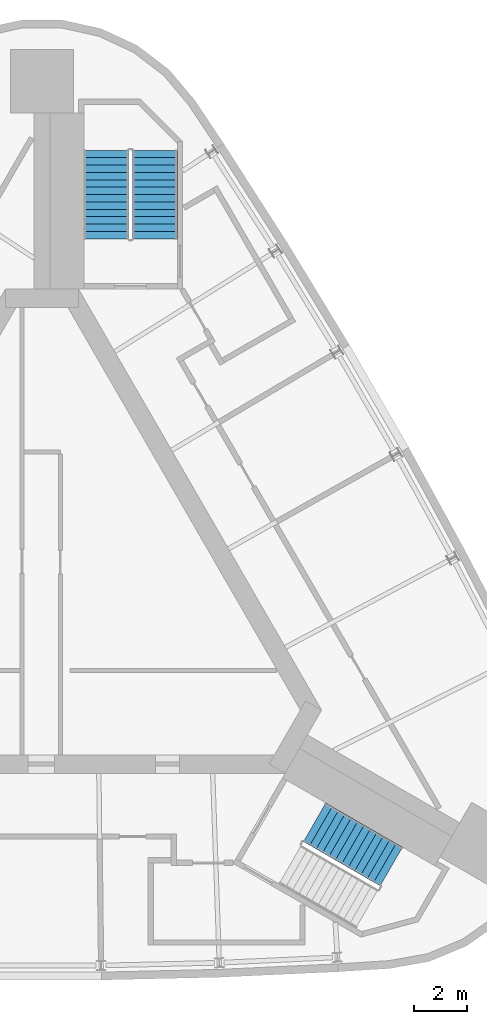
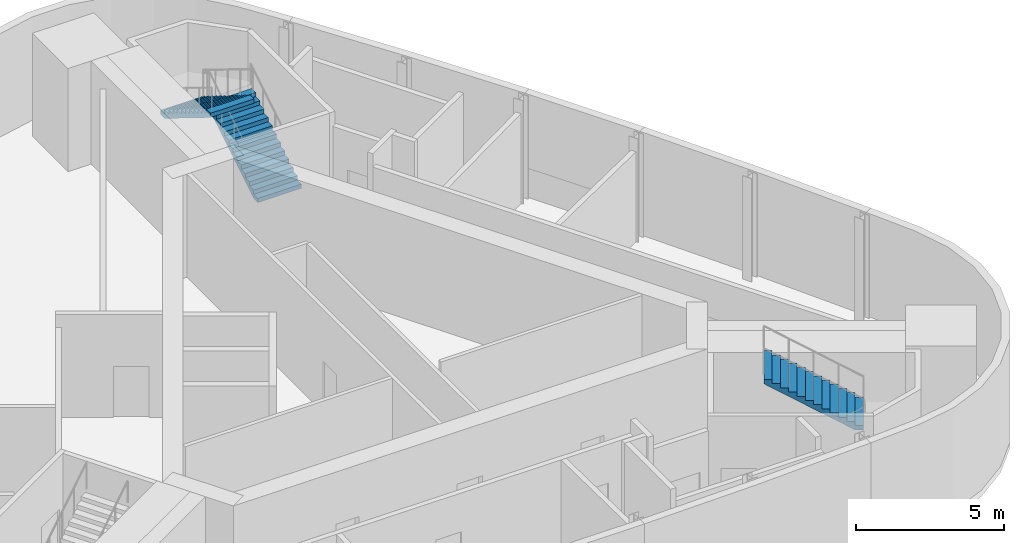
# One storey, part 6 of 7: 3 stair flights, 2 elements without a shape of their own.
"""IFC4 building model written with IfcOpenShell, lengths in metres."""

from ifc_helpers import new_model, si_unit, direction, frame, origin, place, context, subcontext, project, spatial, polyline, outline, extrude, material, type_object, element, aggregate, save


model = new_model("IFC4")

# Units and contexts
model_context = context("Model", 3, precision=1e-05, world=origin(), true_north=direction((0.0, 1.0)))
body_context = subcontext(model_context, "Body", "Model", "MODEL_VIEW")
ifc_project = project(units=[si_unit("LENGTHUNIT", "METRE"), si_unit("AREAUNIT", "SQUARE_METRE"), si_unit("VOLUMEUNIT", "CUBIC_METRE"), si_unit("PLANEANGLEUNIT", "RADIAN"), si_unit("MASSUNIT", "GRAM", prefix="KILO")], contexts=[model_context])

# Site, building, storey
site_placement = place(None, origin())
site = spatial("IfcSite", under=ifc_project, at=site_placement, CompositionType="ELEMENT")
building_placement = place(site_placement, origin())
building = spatial("IfcBuilding", under=site, at=building_placement, Name="Noor Cloister Tower", CompositionType="ELEMENT")
storey_placement = place(building_placement, frame((0.0, 0.0, 288.60009765625)))
storey = spatial("IfcBuildingStorey", under=building, at=storey_placement, Name="L73", CompositionType="ELEMENT", Elevation=288.60009765625)

# Stair, stair flights
ifc_material_1 = material(Name="Concrete C40/50", Category="concrete")
stair_type = type_object("IfcStairType", Name="Exit stair 26 risers", PredefinedType="HALF_TURN_STAIR", material=ifc_material_1)
stair_1_placement = place(storey_placement, origin())
stair_1 = element("IfcStair", 1, at=stair_1_placement, inside=storey, type_object=stair_type, Name="Exit stair ST1 L73", PredefinedType="HALF_TURN_STAIR")
ifc_material_2 = material(Name="Concrete C40/50", Category="concrete")
stair_flight_type = type_object("IfcStairFlightType", Name="Exit stair flight", PredefinedType="STRAIGHT", material=ifc_material_2)
stair_flight_1_placement = place(storey_placement, frame((4.28564453125, 13.3564453125, 0.0), z_axis=(0.0, 0.0, 1.0), x_axis=(0.0, 1.0, 0.0)))
stair_flight_1 = element("IfcStairFlight", 2, at=stair_flight_1_placement, type_object=stair_flight_type, Name="ST1 flight 1", NumberOfRisers=13, NumberOfTreads=12, PredefinedType="STRAIGHT", RiserHeight=0.173076923, TreadLength=0.28, context=body_context, shape_type="SweptSolid", body=[
    extrude(outline(polyline([(0.0, 0.0), (0.0, 0.173095703125), (0.280029296875, 0.173095703125), (0.280029296875, 0.34619140625), (0.56005859375, 0.34619140625), (0.56005859375, 0.519287109375), (0.840087890625, 0.519287109375), (0.840087890625, 0.6923828125), (1.1201171875, 0.6923828125), (1.1201171875, 0.865478515625), (1.39990234375, 0.865478515625), (1.39990234375, 1.03857421875), (1.679931640625, 1.03857421875), (1.679931640625, 1.21142578125), (1.9599609375, 1.21142578125), (1.9599609375, 1.384521484375), (2.239990234375, 1.384521484375), (2.239990234375, 1.5576171875), (2.52001953125, 1.5576171875), (2.52001953125, 1.730712890625), (2.800048828125, 1.730712890625), (2.800048828125, 1.90380859375), (3.080078125, 1.90380859375), (3.080078125, 2.076904296875), (3.360107421875, 2.076904296875), (3.360107421875, 2.25), (3.360107421875, 1.900634765625), (0.28515625, 0.0), (0.0, 0.0)])), frame((0.0, 0.85009765625, 0.0), z_axis=(0.0, -1.0, 0.0), x_axis=(1.0, 0.0, 0.0)), (0.0, 0.0, 1.0), 1.699951171875),
])
stair_flight_2_placement = place(storey_placement, frame((2.435546875, 16.71630859375, 2.25), z_axis=(0.0, 0.0, 1.0), x_axis=(0.0, -1.0, 0.0)))
stair_flight_2 = element("IfcStairFlight", 3, at=stair_flight_2_placement, type_object=stair_flight_type, Name="ST1 flight 2", NumberOfRisers=13, NumberOfTreads=12, PredefinedType="STRAIGHT", RiserHeight=0.173076923, TreadLength=0.28, context=body_context, shape_type="SweptSolid", body=[
    extrude(outline(polyline([(0.0, 0.0), (0.0, 0.173095703125), (0.280029296875, 0.173095703125), (0.280029296875, 0.34619140625), (0.56005859375, 0.34619140625), (0.56005859375, 0.519287109375), (0.840087890625, 0.519287109375), (0.840087890625, 0.6923828125), (1.1201171875, 0.6923828125), (1.1201171875, 0.865478515625), (1.39990234375, 0.865478515625), (1.39990234375, 1.03857421875), (1.679931640625, 1.03857421875), (1.679931640625, 1.21142578125), (1.9599609375, 1.21142578125), (1.9599609375, 1.384521484375), (2.239990234375, 1.384521484375), (2.239990234375, 1.5576171875), (2.52001953125, 1.5576171875), (2.52001953125, 1.730712890625), (2.800048828125, 1.730712890625), (2.800048828125, 1.90380859375), (3.080078125, 1.90380859375), (3.080078125, 2.076904296875), (3.360107421875, 2.076904296875), (3.360107421875, 2.25), (3.360107421875, 1.900634765625), (0.28515625, 0.0), (0.0, 0.0)])), frame((0.0, 0.85009765625, 0.0), z_axis=(0.0, -1.0, 0.0), x_axis=(1.0, 0.0, 0.0)), (0.0, 0.0, 1.0), 1.699951171875),
])
aggregate(stair_1, [stair_flight_1, stair_flight_2])

# Stair, stair flight
stair_2_placement = place(storey_placement, origin())
stair_2 = element("IfcStair", 4, at=stair_2_placement, inside=storey, type_object=stair_type, Name="Exit stair ST3 L73", PredefinedType="HALF_TURN_STAIR")
stair_flight_3_placement = place(storey_placement, frame((13.259033203125, -10.467529296875, 2.25), z_axis=(0.0, 0.0, 1.0), x_axis=(-0.866025403784, 0.5, 0.0)))
stair_flight_3 = element("IfcStairFlight", 5, at=stair_flight_3_placement, type_object=stair_flight_type, Name="ST3 flight 2", NumberOfRisers=13, NumberOfTreads=12, PredefinedType="STRAIGHT", RiserHeight=0.173076923, TreadLength=0.28, context=body_context, shape_type="SweptSolid", body=[
    extrude(outline(polyline([(0.0, 0.0), (0.0, 0.173095703125), (0.280029296875, 0.173095703125), (0.280029296875, 0.34619140625), (0.56005859375, 0.34619140625), (0.56005859375, 0.519287109375), (0.840087890625, 0.519287109375), (0.840087890625, 0.6923828125), (1.1201171875, 0.6923828125), (1.1201171875, 0.865478515625), (1.39990234375, 0.865478515625), (1.39990234375, 1.03857421875), (1.679931640625, 1.03857421875), (1.679931640625, 1.21142578125), (1.9599609375, 1.21142578125), (1.9599609375, 1.384521484375), (2.239990234375, 1.384521484375), (2.239990234375, 1.5576171875), (2.52001953125, 1.5576171875), (2.52001953125, 1.730712890625), (2.800048828125, 1.730712890625), (2.800048828125, 1.90380859375), (3.080078125, 1.90380859375), (3.080078125, 2.076904296875), (3.360107421875, 2.076904296875), (3.360107421875, 2.25), (3.360107421875, 1.900634765625), (0.28515625, 0.0), (0.0, 0.0)])), frame((0.0, 0.85009765625, 0.0), z_axis=(0.0, -1.0, 0.0), x_axis=(1.0, 0.0, 0.0)), (0.0, 0.0, 1.0), 1.699951171875),
])
aggregate(stair_2, [stair_flight_3])

save(model, "model.ifc")
